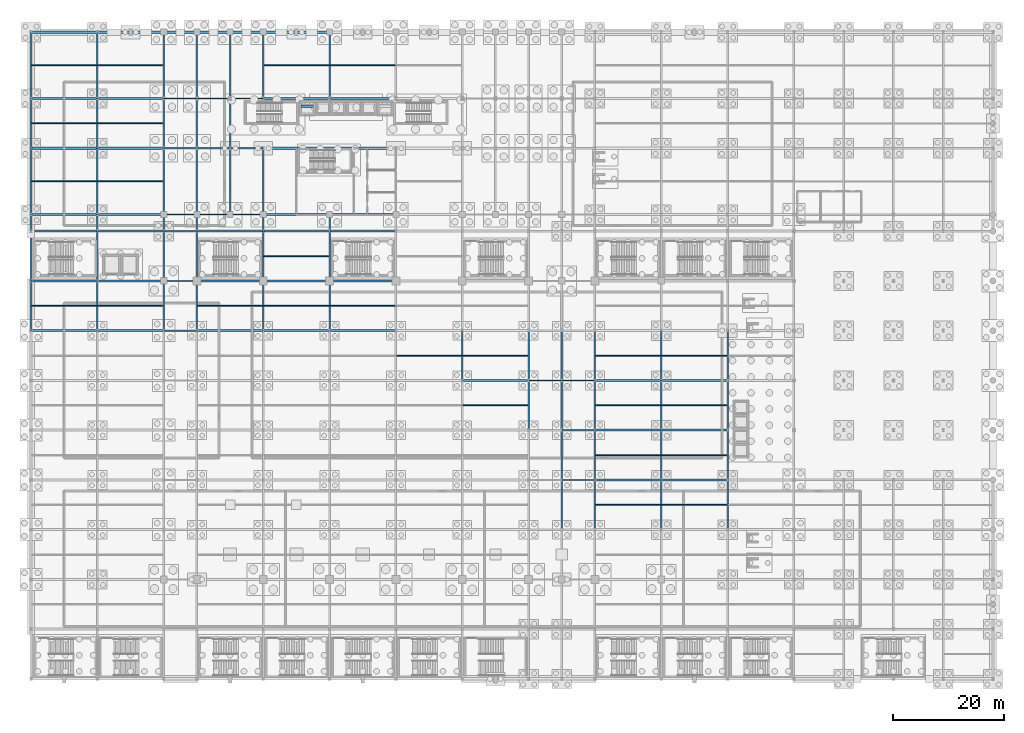
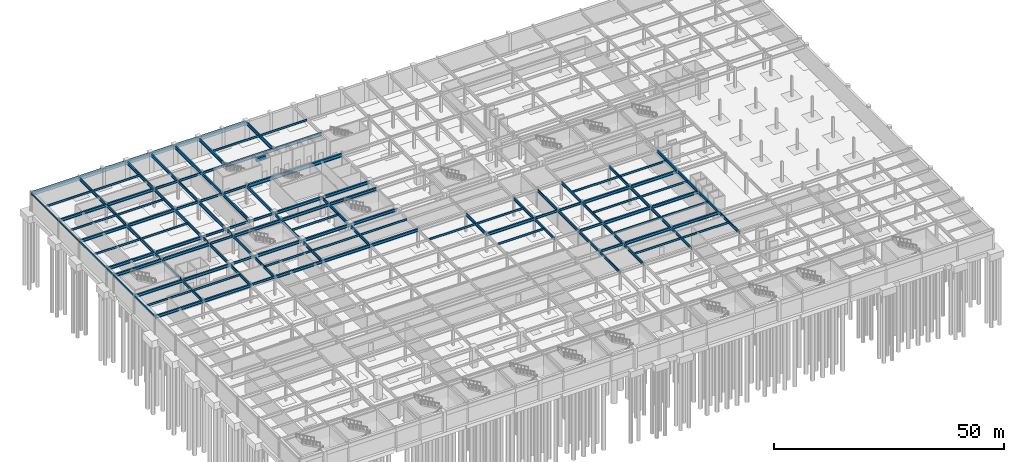
# One storey, part 19 of 47: 136 beams.
"""IFC4 building model written with IfcOpenShell, lengths in metres."""

from ifc_helpers import new_model, si_unit, direction, frame, origin, origin_2d, place, context, subcontext, project, spatial, rectangle, hollow_rectangle, i_section, extrude, material, material_profile, profile_set, type_object, element, save


model = new_model("IFC4")

# Units and contexts
model_context = context("Model", 3, precision=1e-05, world=origin(), true_north=direction((0.0, 1.0)))
body_context = subcontext(model_context, "Body", "Model", "MODEL_VIEW")
ifc_project = project(units=[si_unit("LENGTHUNIT", "METRE"), si_unit("AREAUNIT", "SQUARE_METRE"), si_unit("VOLUMEUNIT", "CUBIC_METRE"), si_unit("PLANEANGLEUNIT", "RADIAN"), si_unit("MASSUNIT", "GRAM", prefix="KILO")], contexts=[model_context])

# Site, building, storey
site_placement = place(None, origin())
site = spatial("IfcSite", under=ifc_project, at=site_placement, CompositionType="ELEMENT")
building_placement = place(site_placement, origin())
building = spatial("IfcBuilding", under=site, at=building_placement, Name="Kaldorvane Square Convention Centre", CompositionType="ELEMENT")
storey_placement = place(building_placement, frame((0.0, 0.0, -5.399993896484375)))
storey = spatial("IfcBuildingStorey", under=building, at=storey_placement, Name="B01", CompositionType="ELEMENT", Elevation=-5.399993896484375)

# Beams
ifc_material_1 = material(Name="Steel ASTM A992 Gr. 50", Category="steel")
ifc_material_profile_1 = material_profile(ifc_material_1, i_section(OverallWidth=0.2303009033203125, OverallDepth=0.61749267578125, WebThickness=0.0131072998046875, FlangeThickness=0.0222015380859375, FilletRadius=0.0126953125, at=origin_2d()), Name="W24X94")
ifc_profile_set_1 = profile_set([ifc_material_profile_1], Name="Steel ASTM A992 Gr. 50")
beam_type_1 = type_object("IfcBeamType", Name="BM-GR-W24X94", PredefinedType="BEAM", material=ifc_profile_set_1)
for number, where, z_axis, x_axis, name in (
    (1, (96.0, 36.0, 4.7072906494140625), (1.0, 0.0, 0.0), (0.0, 1.0, 0.0), "Primary Girder (B01)"),
    (2, (96.0, 45.0, 4.7072906494140625), (1.0, 0.0, 0.0), (0.0, 1.0, 0.0), "Primary Girder (B01)"),
    (3, (90.0, 54.0, 4.7072906494140625), (1.0, 0.0, 0.0), (0.0, 1.0, 0.0), "Primary Girder (B01)"),
    (4, (96.0, 54.0, 4.7072906494140625), (1.0, 0.0, 0.0), (0.0, 1.0, 0.0), "Primary Girder (B01)"),
    (5, (24.0, 63.0, 4.7072906494140625), (1.0, 0.0, 0.0), (0.0, 1.0, 0.0), "Primary Girder (B01)"),
    (6, (24.0, 72.0, 4.7072906494140625), (1.0, 0.0, 0.0), (0.0, 1.0, 0.0), "Primary Girder (B01)"),
    (7, (24.0, 81.0, 4.7072906494140625), (1.0, 0.0, 0.0), (0.0, 1.0, 0.0), "Primary Girder (B01)"),
    (8, (24.0, 84.0, 4.7072906494140625), (1.0, 0.0, 0.0), (0.0, 1.0, 0.0), "Primary Girder (B01)"),
    (9, (30.0, 84.0, 4.7072906494140625), (1.0, 0.0, 0.0), (0.0, 1.0, 0.0), "Primary Girder (B01)"),
    (10, (36.0, 84.0, 4.7072906494140625), (1.0, 0.0, 0.0), (0.0, 1.0, 0.0), "Primary Girder (B01)"),
    (11, (24.0, 96.0, 4.7072906494140625), (1.0, 0.0, 0.0), (0.0, 1.0, 0.0), "Primary Girder (B01)"),
    (12, (30.0, 96.0, 4.7072906494140625), (1.0, 0.0, 0.0), (0.0, 1.0, 0.0), "Primary Girder (B01)"),
    (13, (36.0, 96.0, 4.7072906494140625), (1.0, 0.0, 0.0), (0.0, 1.0, 0.0), "Primary Girder (B01)"),
    (14, (24.0, 105.0, 4.7072906494140625), (1.0, 0.0, 0.0), (0.0, 1.0, 0.0), "Primary Girder (B01)"),
    (15, (30.0, 105.0, 4.7072906494140625), (1.0, 0.0, 0.0), (0.0, 1.0, 0.0), "Primary Girder (B01)"),
    (16, (36.0, 105.0, 4.7072906494140625), (1.0, 0.0, 0.0), (0.0, 1.0, 0.0), "Primary Girder (B01)"),
):
    element("IfcBeam", number, at=place(storey_placement, frame(where, z_axis=z_axis, x_axis=x_axis)), inside=storey, type_object=beam_type_1, Name=name, PredefinedType="BEAM", context=body_context, shape_type="SweptSolid", body=[
        extrude(i_section(OverallWidth=0.2303009033203125, OverallDepth=0.61749267578125, WebThickness=0.0131072998046875, FlangeThickness=0.0222015380859375, FilletRadius=0.0126953125, at=origin_2d()), origin(), (0.0, 0.0, 1.0), 6.0),
    ])
ifc_material_profile_2 = material_profile(ifc_material_1, i_section(OverallWidth=0.2666015625, OverallDepth=0.762298583984375, WebThickness=0.014404296875, FlangeThickness=0.0216064453125, FilletRadius=0.0164947509765625, at=origin_2d()), Name="W30X116")
ifc_profile_set_2 = profile_set([ifc_material_profile_2], Name="Steel ASTM A992 Gr. 50")
beam_type_2 = type_object("IfcBeamType", Name="BM-GR-W30X116", PredefinedType="BEAM", material=ifc_profile_set_2)
for number, where, z_axis, x_axis, name in (
    (17, (12.0, 63.0, 4.59478759765625), (0.0, 1.0, 0.0), (-1.0, 0.0, 0.0), "Transverse Girder (B01)"),
    (18, (12.0, 72.0, 4.6348876953125), (0.0, 1.0, 0.0), (-1.0, 0.0, 0.0), "Transverse Girder (B01)"),
):
    element("IfcBeam", number, at=place(storey_placement, frame(where, z_axis=z_axis, x_axis=x_axis)), inside=storey, type_object=beam_type_2, Name=name, PredefinedType="BEAM", context=body_context, shape_type="SweptSolid", body=[
        extrude(i_section(OverallWidth=0.2666015625, OverallDepth=0.762298583984375, WebThickness=0.014404296875, FlangeThickness=0.0216064453125, FilletRadius=0.0164947509765625, at=origin_2d()), origin(), (0.0, 0.0, 1.0), 9.0),
    ])
beam_1_placement = place(storey_placement, frame((12.0, 81.0, 4.6348876953125), z_axis=(0.0, 1.0, 0.0), x_axis=(-1.0, 0.0, 0.0)))
element("IfcBeam", 19, at=beam_1_placement, inside=storey, type_object=beam_type_2, Name="Transverse Girder (B01)", PredefinedType="BEAM", context=body_context, shape_type="SweptSolid", body=[
    extrude(i_section(OverallWidth=0.2666015625, OverallDepth=0.762298583984375, WebThickness=0.014404296875, FlangeThickness=0.0216064453125, FilletRadius=0.0164947509765625, at=origin_2d()), origin(), (0.0, 0.0, 1.0), 3.0),
])
for number, where, z_axis, x_axis, name in (
    (20, (12.0, 96.0, 4.6348876953125), (0.0, 1.0, 0.0), (-1.0, 0.0, 0.0), "Transverse Girder (B01)"),
    (21, (24.0, 63.0, 4.59478759765625), (0.0, 1.0, 0.0), (-1.0, 0.0, 0.0), "Transverse Girder (B01)"),
    (22, (24.0, 72.0, 4.6348876953125), (0.0, 1.0, 0.0), (-1.0, 0.0, 0.0), "Transverse Girder (B01)"),
):
    element("IfcBeam", number, at=place(storey_placement, frame(where, z_axis=z_axis, x_axis=x_axis)), inside=storey, type_object=beam_type_2, Name=name, PredefinedType="BEAM", context=body_context, shape_type="SweptSolid", body=[
        extrude(i_section(OverallWidth=0.2666015625, OverallDepth=0.762298583984375, WebThickness=0.014404296875, FlangeThickness=0.0216064453125, FilletRadius=0.0164947509765625, at=origin_2d()), origin(), (0.0, 0.0, 1.0), 9.0),
    ])
beam_2_placement = place(storey_placement, frame((24.0, 81.0, 4.6348876953125), z_axis=(0.0, 1.0, 0.0), x_axis=(-1.0, 0.0, 0.0)))
element("IfcBeam", 23, at=beam_2_placement, inside=storey, type_object=beam_type_2, Name="Transverse Girder (B01)", PredefinedType="BEAM", context=body_context, shape_type="SweptSolid", body=[
    extrude(i_section(OverallWidth=0.2666015625, OverallDepth=0.762298583984375, WebThickness=0.014404296875, FlangeThickness=0.0216064453125, FilletRadius=0.0164947509765625, at=origin_2d()), origin(), (0.0, 0.0, 1.0), 3.0),
])
for number, where, z_axis, x_axis, name in (
    (24, (24.0, 96.0, 4.6348876953125), (0.0, 1.0, 0.0), (-1.0, 0.0, 0.0), "Transverse Girder (B01)"),
    (25, (30.0, 63.0, 4.6348876953125), (0.0, 1.0, 0.0), (-1.0, 0.0, 0.0), "Transverse Girder (B01)"),
    (26, (30.0, 72.0, 4.6348876953125), (0.0, 1.0, 0.0), (-1.0, 0.0, 0.0), "Transverse Girder (B01)"),
):
    element("IfcBeam", number, at=place(storey_placement, frame(where, z_axis=z_axis, x_axis=x_axis)), inside=storey, type_object=beam_type_2, Name=name, PredefinedType="BEAM", context=body_context, shape_type="SweptSolid", body=[
        extrude(i_section(OverallWidth=0.2666015625, OverallDepth=0.762298583984375, WebThickness=0.014404296875, FlangeThickness=0.0216064453125, FilletRadius=0.0164947509765625, at=origin_2d()), origin(), (0.0, 0.0, 1.0), 9.0),
    ])
beam_3_placement = place(storey_placement, frame((30.0, 81.0, 4.6348876953125), z_axis=(0.0, 1.0, 0.0), x_axis=(-1.0, 0.0, 0.0)))
element("IfcBeam", 27, at=beam_3_placement, inside=storey, type_object=beam_type_2, Name="Transverse Girder (B01)", PredefinedType="BEAM", context=body_context, shape_type="SweptSolid", body=[
    extrude(i_section(OverallWidth=0.2666015625, OverallDepth=0.762298583984375, WebThickness=0.014404296875, FlangeThickness=0.0216064453125, FilletRadius=0.0164947509765625, at=origin_2d()), origin(), (0.0, 0.0, 1.0), 3.0),
])
for number, where, z_axis, x_axis, name in (
    (28, (30.0, 96.0, 4.6348876953125), (0.0, 1.0, 0.0), (-1.0, 0.0, 0.0), "Transverse Girder (B01)"),
    (29, (36.0, 96.0, 4.6348876953125), (0.0, 1.0, 0.0), (-1.0, 0.0, 0.0), "Transverse Girder (B01)"),
    (30, (42.0, 63.0, 4.6348876953125), (0.0, 1.0, 0.0), (-1.0, 0.0, 0.0), "Transverse Girder (B01)"),
    (31, (42.0, 72.0, 4.6348876953125), (0.0, 1.0, 0.0), (-1.0, 0.0, 0.0), "Transverse Girder (B01)"),
):
    element("IfcBeam", number, at=place(storey_placement, frame(where, z_axis=z_axis, x_axis=x_axis)), inside=storey, type_object=beam_type_2, Name=name, PredefinedType="BEAM", context=body_context, shape_type="SweptSolid", body=[
        extrude(i_section(OverallWidth=0.2666015625, OverallDepth=0.762298583984375, WebThickness=0.014404296875, FlangeThickness=0.0216064453125, FilletRadius=0.0164947509765625, at=origin_2d()), origin(), (0.0, 0.0, 1.0), 9.0),
    ])
beam_4_placement = place(storey_placement, frame((42.0, 81.0, 4.6348876953125), z_axis=(0.0, 1.0, 0.0), x_axis=(-1.0, 0.0, 0.0)))
element("IfcBeam", 32, at=beam_4_placement, inside=storey, type_object=beam_type_2, Name="Transverse Girder (B01)", PredefinedType="BEAM", context=body_context, shape_type="SweptSolid", body=[
    extrude(i_section(OverallWidth=0.2666015625, OverallDepth=0.762298583984375, WebThickness=0.014404296875, FlangeThickness=0.0216064453125, FilletRadius=0.0164947509765625, at=origin_2d()), origin(), (0.0, 0.0, 1.0), 3.0),
])
for number, where, z_axis, x_axis, name in (
    (33, (54.0, 63.0, 4.6348876953125), (0.0, 1.0, 0.0), (-1.0, 0.0, 0.0), "Transverse Girder (B01)"),
    (34, (54.0, 72.0, 4.6348876953125), (0.0, 1.0, 0.0), (-1.0, 0.0, 0.0), "Transverse Girder (B01)"),
):
    element("IfcBeam", number, at=place(storey_placement, frame(where, z_axis=z_axis, x_axis=x_axis)), inside=storey, type_object=beam_type_2, Name=name, PredefinedType="BEAM", context=body_context, shape_type="SweptSolid", body=[
        extrude(i_section(OverallWidth=0.2666015625, OverallDepth=0.762298583984375, WebThickness=0.014404296875, FlangeThickness=0.0216064453125, FilletRadius=0.0164947509765625, at=origin_2d()), origin(), (0.0, 0.0, 1.0), 9.0),
    ])
beam_5_placement = place(storey_placement, frame((54.0, 81.0, 4.6348876953125), z_axis=(0.0, 1.0, 0.0), x_axis=(-1.0, 0.0, 0.0)))
element("IfcBeam", 35, at=beam_5_placement, inside=storey, type_object=beam_type_2, Name="Transverse Girder (B01)", PredefinedType="BEAM", context=body_context, shape_type="SweptSolid", body=[
    extrude(i_section(OverallWidth=0.2666015625, OverallDepth=0.762298583984375, WebThickness=0.014404296875, FlangeThickness=0.0216064453125, FilletRadius=0.0164947509765625, at=origin_2d()), origin(), (0.0, 0.0, 1.0), 3.0),
])
for number, where, z_axis, x_axis, name in (
    (36, (78.0, 54.0, 4.6348876953125), (0.0, 1.0, 0.0), (-1.0, 0.0, 0.0), "Transverse Girder (B01)"),
    (37, (90.0, 45.0, 4.6348876953125), (0.0, 1.0, 0.0), (-1.0, 0.0, 0.0), "Transverse Girder (B01)"),
    (38, (90.0, 54.0, 4.6348876953125), (0.0, 1.0, 0.0), (-1.0, 0.0, 0.0), "Transverse Girder (B01)"),
    (39, (96.0, 27.0, 4.6348876953125), (0.0, 1.0, 0.0), (-1.0, 0.0, 0.0), "Transverse Girder (B01)"),
    (40, (96.0, 36.0, 4.6348876953125), (0.0, 1.0, 0.0), (-1.0, 0.0, 0.0), "Transverse Girder (B01)"),
    (41, (96.0, 45.0, 4.6348876953125), (0.0, 1.0, 0.0), (-1.0, 0.0, 0.0), "Transverse Girder (B01)"),
    (42, (96.0, 54.0, 4.6348876953125), (0.0, 1.0, 0.0), (-1.0, 0.0, 0.0), "Transverse Girder (B01)"),
    (43, (102.0, 27.0, 4.6348876953125), (0.0, 1.0, 0.0), (-1.0, 0.0, 0.0), "Transverse Girder (B01)"),
    (44, (102.0, 36.0, 4.6348876953125), (0.0, 1.0, 0.0), (-1.0, 0.0, 0.0), "Transverse Girder (B01)"),
    (45, (102.0, 45.0, 4.6348876953125), (0.0, 1.0, 0.0), (-1.0, 0.0, 0.0), "Transverse Girder (B01)"),
    (46, (102.0, 54.0, 4.6348876953125), (0.0, 1.0, 0.0), (-1.0, 0.0, 0.0), "Transverse Girder (B01)"),
    (47, (114.0, 27.0, 4.6348876953125), (0.0, 1.0, 0.0), (-1.0, 0.0, 0.0), "Transverse Girder (B01)"),
    (48, (114.0, 36.0, 4.6348876953125), (0.0, 1.0, 0.0), (-1.0, 0.0, 0.0), "Transverse Girder (B01)"),
    (49, (114.0, 45.0, 4.6348876953125), (0.0, 1.0, 0.0), (-1.0, 0.0, 0.0), "Transverse Girder (B01)"),
    (50, (114.0, 54.0, 4.6348876953125), (0.0, 1.0, 0.0), (-1.0, 0.0, 0.0), "Transverse Girder (B01)"),
    (51, (126.0, 27.0, 4.6348876953125), (0.0, 1.0, 0.0), (-1.0, 0.0, 0.0), "Transverse Girder (B01)"),
    (52, (126.0, 36.0, 4.6348876953125), (0.0, 1.0, 0.0), (-1.0, 0.0, 0.0), "Transverse Girder (B01)"),
    (53, (126.0, 45.0, 4.6348876953125), (0.0, 1.0, 0.0), (-1.0, 0.0, 0.0), "Transverse Girder (B01)"),
    (54, (126.0, 54.0, 4.6348876953125), (0.0, 1.0, 0.0), (-1.0, 0.0, 0.0), "Transverse Girder (B01)"),
):
    element("IfcBeam", number, at=place(storey_placement, frame(where, z_axis=z_axis, x_axis=x_axis)), inside=storey, type_object=beam_type_2, Name=name, PredefinedType="BEAM", context=body_context, shape_type="SweptSolid", body=[
        extrude(i_section(OverallWidth=0.2666015625, OverallDepth=0.762298583984375, WebThickness=0.014404296875, FlangeThickness=0.0216064453125, FilletRadius=0.0164947509765625, at=origin_2d()), origin(), (0.0, 0.0, 1.0), 9.0),
    ])
ifc_material_profile_3 = material_profile(ifc_material_1, i_section(OverallWidth=0.380706787109375, OverallDepth=0.773193359375, WebThickness=0.0166015625, FlangeThickness=0.027099609375, FilletRadius=0.0164947509765625, at=origin_2d()), Name="W30X173")
ifc_profile_set_3 = profile_set([ifc_material_profile_3], Name="Steel ASTM A992 Gr. 50")
beam_type_3 = type_object("IfcBeamType", Name="BM-GR-W30X173", PredefinedType="BEAM", material=ifc_profile_set_3)
for number, where, z_axis, x_axis, name in (
    (55, (102.0, 36.0, 4.62939453125), (1.0, 0.0, 0.0), (0.0, 1.0, 0.0), "Primary Girder (B01)"),
    (56, (114.0, 36.0, 4.62939453125), (1.0, 0.0, 0.0), (0.0, 1.0, 0.0), "Primary Girder (B01)"),
    (57, (102.0, 45.0, 4.62939453125), (1.0, 0.0, 0.0), (0.0, 1.0, 0.0), "Primary Girder (B01)"),
    (58, (114.0, 45.0, 4.62939453125), (1.0, 0.0, 0.0), (0.0, 1.0, 0.0), "Primary Girder (B01)"),
    (59, (78.0, 54.0, 4.62939453125), (1.0, 0.0, 0.0), (0.0, 1.0, 0.0), "Primary Girder (B01)"),
    (60, (102.0, 54.0, 4.62939453125), (1.0, 0.0, 0.0), (0.0, 1.0, 0.0), "Primary Girder (B01)"),
    (61, (114.0, 54.0, 4.62939453125), (1.0, 0.0, 0.0), (0.0, 1.0, 0.0), "Primary Girder (B01)"),
    (62, (0.0, 63.0, 4.5894012451171875), (1.0, 0.0, 0.0), (0.0, 1.0, 0.0), "Primary Girder (B01)"),
    (63, (12.0, 63.0, 4.5894012451171875), (1.0, 0.0, 0.0), (0.0, 1.0, 0.0), "Primary Girder (B01)"),
    (64, (30.0, 63.0, 4.62939453125), (1.0, 0.0, 0.0), (0.0, 1.0, 0.0), "Primary Girder (B01)"),
    (65, (42.0, 63.0, 4.62939453125), (1.0, 0.0, 0.0), (0.0, 1.0, 0.0), "Primary Girder (B01)"),
    (66, (54.0, 63.0, 4.62939453125), (1.0, 0.0, 0.0), (0.0, 1.0, 0.0), "Primary Girder (B01)"),
    (67, (0.0, 72.0, 4.5894012451171875), (1.0, 0.0, 0.0), (0.0, 1.0, 0.0), "Primary Girder (B01)"),
    (68, (12.0, 72.0, 4.5894012451171875), (1.0, 0.0, 0.0), (0.0, 1.0, 0.0), "Primary Girder (B01)"),
    (69, (30.0, 72.0, 4.62939453125), (1.0, 0.0, 0.0), (0.0, 1.0, 0.0), "Primary Girder (B01)"),
    (70, (42.0, 72.0, 4.62939453125), (1.0, 0.0, 0.0), (0.0, 1.0, 0.0), "Primary Girder (B01)"),
    (71, (54.0, 72.0, 4.62939453125), (1.0, 0.0, 0.0), (0.0, 1.0, 0.0), "Primary Girder (B01)"),
    (72, (0.0, 81.0, 4.62939453125), (1.0, 0.0, 0.0), (0.0, 1.0, 0.0), "Primary Girder (B01)"),
    (73, (12.0, 81.0, 4.62939453125), (1.0, 0.0, 0.0), (0.0, 1.0, 0.0), "Primary Girder (B01)"),
    (74, (30.0, 81.0, 4.62939453125), (1.0, 0.0, 0.0), (0.0, 1.0, 0.0), "Primary Girder (B01)"),
    (75, (42.0, 81.0, 4.62939453125), (1.0, 0.0, 0.0), (0.0, 1.0, 0.0), "Primary Girder (B01)"),
    (76, (54.0, 81.0, 4.62939453125), (1.0, 0.0, 0.0), (0.0, 1.0, 0.0), "Primary Girder (B01)"),
    (77, (0.0, 84.0, 4.62939453125), (1.0, 0.0, 0.0), (0.0, 1.0, 0.0), "Primary Girder (B01)"),
    (78, (12.0, 84.0, 4.62939453125), (1.0, 0.0, 0.0), (0.0, 1.0, 0.0), "Primary Girder (B01)"),
    (79, (42.0, 84.0, 4.62939453125), (1.0, 0.0, 0.0), (0.0, 1.0, 0.0), "Primary Girder (B01)"),
    (80, (54.0, 84.0, 4.62939453125), (1.0, 0.0, 0.0), (0.0, 1.0, 0.0), "Primary Girder (B01)"),
    (81, (0.0, 96.0, 4.62939453125), (1.0, 0.0, 0.0), (0.0, 1.0, 0.0), "Primary Girder (B01)"),
    (82, (12.0, 96.0, 4.62939453125), (1.0, 0.0, 0.0), (0.0, 1.0, 0.0), "Primary Girder (B01)"),
    (83, (0.0, 105.0, 4.62939453125), (1.0, 0.0, 0.0), (0.0, 1.0, 0.0), "Primary Girder (B01)"),
    (84, (12.0, 105.0, 4.62939453125), (1.0, 0.0, 0.0), (0.0, 1.0, 0.0), "Primary Girder (B01)"),
    (85, (42.0, 105.0, 4.62939453125), (1.0, 0.0, 0.0), (0.0, 1.0, 0.0), "Primary Girder (B01)"),
    (86, (54.0, 105.0, 4.62939453125), (1.0, 0.0, 0.0), (0.0, 1.0, 0.0), "Primary Girder (B01)"),
):
    element("IfcBeam", number, at=place(storey_placement, frame(where, z_axis=z_axis, x_axis=x_axis)), inside=storey, type_object=beam_type_3, Name=name, PredefinedType="BEAM", context=body_context, shape_type="SweptSolid", body=[
        extrude(i_section(OverallWidth=0.380706787109375, OverallDepth=0.773193359375, WebThickness=0.0166015625, FlangeThickness=0.027099609375, FilletRadius=0.0164947509765625, at=origin_2d()), origin(), (0.0, 0.0, 1.0), 12.0),
    ])
ifc_material_profile_4 = material_profile(ifc_material_1, i_section(OverallWidth=0.292999267578125, OverallDepth=0.845794677734375, WebThickness=0.0153961181640625, FlangeThickness=0.0243988037109375, FilletRadius=0.0178070068359375, at=origin_2d()), Name="W33X141")
ifc_profile_set_4 = profile_set([ifc_material_profile_4], Name="Steel ASTM A992 Gr. 50")
beam_type_4 = type_object("IfcBeamType", Name="BM-GR-W33X141", PredefinedType="BEAM", material=ifc_profile_set_4)
for number, where, z_axis, x_axis, name in (
    (87, (12.0, 84.0, 4.5930938720703125), (0.0, 1.0, 0.0), (-1.0, 0.0, 0.0), "Transverse Girder (B01)"),
    (88, (12.0, 105.0, 4.5930938720703125), (0.0, 1.0, 0.0), (-1.0, 0.0, 0.0), "Transverse Girder (B01)"),
    (89, (24.0, 84.0, 4.5930938720703125), (0.0, 1.0, 0.0), (-1.0, 0.0, 0.0), "Transverse Girder (B01)"),
    (90, (24.0, 105.0, 4.5930938720703125), (0.0, 1.0, 0.0), (-1.0, 0.0, 0.0), "Transverse Girder (B01)"),
    (91, (30.0, 84.0, 4.5930938720703125), (0.0, 1.0, 0.0), (-1.0, 0.0, 0.0), "Transverse Girder (B01)"),
    (92, (30.0, 105.0, 4.5930938720703125), (0.0, 1.0, 0.0), (-1.0, 0.0, 0.0), "Transverse Girder (B01)"),
    (93, (36.0, 84.0, 4.5930938720703125), (0.0, 1.0, 0.0), (-1.0, 0.0, 0.0), "Transverse Girder (B01)"),
    (94, (36.0, 105.0, 4.5930938720703125), (0.0, 1.0, 0.0), (-1.0, 0.0, 0.0), "Transverse Girder (B01)"),
    (95, (42.0, 84.0, 4.5930938720703125), (0.0, 1.0, 0.0), (-1.0, 0.0, 0.0), "Transverse Girder (B01)"),
    (96, (42.0, 105.0, 4.5930938720703125), (0.0, 1.0, 0.0), (-1.0, 0.0, 0.0), "Transverse Girder (B01)"),
    (97, (54.0, 105.0, 4.5930938720703125), (0.0, 1.0, 0.0), (-1.0, 0.0, 0.0), "Transverse Girder (B01)"),
):
    element("IfcBeam", number, at=place(storey_placement, frame(where, z_axis=z_axis, x_axis=x_axis)), inside=storey, type_object=beam_type_4, Name=name, PredefinedType="BEAM", context=body_context, shape_type="SweptSolid", body=[
        extrude(i_section(OverallWidth=0.292999267578125, OverallDepth=0.845794677734375, WebThickness=0.0153961181640625, FlangeThickness=0.0243988037109375, FilletRadius=0.0178070068359375, at=origin_2d()), origin(), (0.0, 0.0, 1.0), 12.0),
    ])
ifc_material_profile_5 = material_profile(ifc_material_1, i_section(OverallWidth=0.418304443359375, OverallDepth=0.926605224609375, WebThickness=0.0193023681640625, FlangeThickness=0.0319976806640625, FilletRadius=0.0240936279296875, at=origin_2d()), Name="W36X231")
ifc_profile_set_5 = profile_set([ifc_material_profile_5], Name="Steel ASTM A992 Gr. 50")
beam_type_5 = type_object("IfcBeamType", Name="BM-GR-W36X231", PredefinedType="BEAM", material=ifc_profile_set_5)
beam_6_placement = place(storey_placement, frame((42.0, 96.0, 4.5526885986328125), z_axis=(1.0, 0.0, 0.0), x_axis=(0.0, 1.0, 0.0)))
element("IfcBeam", 98, at=beam_6_placement, inside=storey, type_object=beam_type_5, Name="Primary Girder (B01)", PredefinedType="BEAM", context=body_context, shape_type="SweptSolid", body=[
    extrude(i_section(OverallWidth=0.418304443359375, OverallDepth=0.926605224609375, WebThickness=0.0193023681640625, FlangeThickness=0.0319976806640625, FilletRadius=0.0240936279296875, at=origin_2d()), origin(), (0.0, 0.0, 1.0), 24.0),
])
ifc_material_profile_6 = material_profile(ifc_material_1, i_section(OverallWidth=0.1658935546875, OverallDepth=0.5290985107421875, WebThickness=0.00970458984375, FlangeThickness=0.0135955810546875, FilletRadius=0.0126953125, at=origin_2d()), Name="W21X50")
ifc_profile_set_6 = profile_set([ifc_material_profile_6], Name="Steel ASTM A992 Gr. 50")
beam_type_6 = type_object("IfcBeamType", Name="BM-JS-W21X50", PredefinedType="JOIST", material=ifc_profile_set_6)
for number, where, z_axis, x_axis, name in (
    (99, (102.13330078125, 31.5, 4.751495361328125), (1.0, 0.0, 0.0), (0.0, 1.0, 0.0), "Secondary Floor Joist (B01)"),
    (100, (114.13330078125, 31.5, 4.751495361328125), (1.0, 0.0, 0.0), (0.0, 1.0, 0.0), "Secondary Floor Joist (B01)"),
    (101, (102.13330078125, 40.5, 4.751495361328125), (1.0, 0.0, 0.0), (0.0, 1.0, 0.0), "Secondary Floor Joist (B01)"),
    (102, (114.13330078125, 40.5, 4.751495361328125), (1.0, 0.0, 0.0), (0.0, 1.0, 0.0), "Secondary Floor Joist (B01)"),
    (103, (78.13330078125, 49.5, 4.751495361328125), (1.0, 0.0, 0.0), (0.0, 1.0, 0.0), "Secondary Floor Joist (B01)"),
    (104, (102.13330078125, 49.5, 4.751495361328125), (1.0, 0.0, 0.0), (0.0, 1.0, 0.0), "Secondary Floor Joist (B01)"),
    (105, (114.13330078125, 49.5, 4.751495361328125), (1.0, 0.0, 0.0), (0.0, 1.0, 0.0), "Secondary Floor Joist (B01)"),
    (106, (66.13330078125, 58.5, 4.751495361328125), (1.0, 0.0, 0.0), (0.0, 1.0, 0.0), "Secondary Floor Joist (B01)"),
    (107, (78.13330078125, 58.5, 4.751495361328125), (1.0, 0.0, 0.0), (0.0, 1.0, 0.0), "Secondary Floor Joist (B01)"),
    (108, (102.13330078125, 58.5, 4.751495361328125), (1.0, 0.0, 0.0), (0.0, 1.0, 0.0), "Secondary Floor Joist (B01)"),
    (109, (114.13330078125, 58.5, 4.751495361328125), (1.0, 0.0, 0.0), (0.0, 1.0, 0.0), "Secondary Floor Joist (B01)"),
):
    element("IfcBeam", number, at=place(storey_placement, frame(where, z_axis=z_axis, x_axis=x_axis)), inside=storey, type_object=beam_type_6, Name=name, PredefinedType="JOIST", context=body_context, shape_type="SweptSolid", body=[
        extrude(i_section(OverallWidth=0.1658935546875, OverallDepth=0.5290985107421875, WebThickness=0.00970458984375, FlangeThickness=0.0135955810546875, FilletRadius=0.0126953125, at=origin_2d()), origin(), (0.0, 0.0, 1.0), 11.7333984375),
    ])
beam_7_placement = place(storey_placement, frame((0.15240478515625, 67.5, 4.71148681640625), z_axis=(1.0, 0.0, 0.0), x_axis=(0.0, 1.0, 0.0)))
element("IfcBeam", 110, at=beam_7_placement, inside=storey, type_object=beam_type_6, Name="Secondary Floor Joist (B01)", PredefinedType="JOIST", context=body_context, shape_type="SweptSolid", body=[
    extrude(i_section(OverallWidth=0.1658935546875, OverallDepth=0.5290985107421875, WebThickness=0.00970458984375, FlangeThickness=0.0135955810546875, FilletRadius=0.0126953125, at=origin_2d()), origin(), (0.0, 0.0, 1.0), 11.71429443359375),
])
for number, where, z_axis, x_axis, name in (
    (111, (12.13330078125, 67.5, 4.71148681640625), (1.0, 0.0, 0.0), (0.0, 1.0, 0.0), "Secondary Floor Joist (B01)"),
    (112, (30.13330078125, 67.5, 4.751495361328125), (1.0, 0.0, 0.0), (0.0, 1.0, 0.0), "Secondary Floor Joist (B01)"),
    (113, (42.13330078125, 67.5, 4.751495361328125), (1.0, 0.0, 0.0), (0.0, 1.0, 0.0), "Secondary Floor Joist (B01)"),
    (114, (54.13330078125, 67.5, 4.751495361328125), (1.0, 0.0, 0.0), (0.0, 1.0, 0.0), "Secondary Floor Joist (B01)"),
    (115, (42.13330078125, 76.5, 4.751495361328125), (1.0, 0.0, 0.0), (0.0, 1.0, 0.0), "Secondary Floor Joist (B01)"),
):
    element("IfcBeam", number, at=place(storey_placement, frame(where, z_axis=z_axis, x_axis=x_axis)), inside=storey, type_object=beam_type_6, Name=name, PredefinedType="JOIST", context=body_context, shape_type="SweptSolid", body=[
        extrude(i_section(OverallWidth=0.1658935546875, OverallDepth=0.5290985107421875, WebThickness=0.00970458984375, FlangeThickness=0.0135955810546875, FilletRadius=0.0126953125, at=origin_2d()), origin(), (0.0, 0.0, 1.0), 11.7333984375),
    ])
beam_8_placement = place(storey_placement, frame((0.15240478515625, 90.0, 4.751495361328125), z_axis=(1.0, 0.0, 0.0), x_axis=(0.0, 1.0, 0.0)))
element("IfcBeam", 116, at=beam_8_placement, inside=storey, type_object=beam_type_6, Name="Secondary Floor Joist (B01)", PredefinedType="JOIST", context=body_context, shape_type="SweptSolid", body=[
    extrude(i_section(OverallWidth=0.1658935546875, OverallDepth=0.5290985107421875, WebThickness=0.00970458984375, FlangeThickness=0.0135955810546875, FilletRadius=0.0126953125, at=origin_2d()), origin(), (0.0, 0.0, 1.0), 11.701095581054688),
])
beam_9_placement = place(storey_placement, frame((12.146499633789062, 90.0, 4.751495361328125), z_axis=(1.0, 0.0, 0.0), x_axis=(0.0, 1.0, 0.0)))
element("IfcBeam", 117, at=beam_9_placement, inside=storey, type_object=beam_type_6, Name="Secondary Floor Joist (B01)", PredefinedType="JOIST", context=body_context, shape_type="SweptSolid", body=[
    extrude(i_section(OverallWidth=0.1658935546875, OverallDepth=0.5290985107421875, WebThickness=0.00970458984375, FlangeThickness=0.0135955810546875, FilletRadius=0.0126953125, at=origin_2d()), origin(), (0.0, 0.0, 1.0), 11.707000732421875),
])
beam_10_placement = place(storey_placement, frame((0.15240478515625, 100.5, 4.751495361328125), z_axis=(1.0, 0.0, 0.0), x_axis=(0.0, 1.0, 0.0)))
element("IfcBeam", 118, at=beam_10_placement, inside=storey, type_object=beam_type_6, Name="Secondary Floor Joist (B01)", PredefinedType="JOIST", context=body_context, shape_type="SweptSolid", body=[
    extrude(i_section(OverallWidth=0.1658935546875, OverallDepth=0.5290985107421875, WebThickness=0.00970458984375, FlangeThickness=0.0135955810546875, FilletRadius=0.0126953125, at=origin_2d()), origin(), (0.0, 0.0, 1.0), 11.71429443359375),
])
beam_11_placement = place(storey_placement, frame((12.13330078125, 100.5, 4.751495361328125), z_axis=(1.0, 0.0, 0.0), x_axis=(0.0, 1.0, 0.0)))
element("IfcBeam", 119, at=beam_11_placement, inside=storey, type_object=beam_type_6, Name="Secondary Floor Joist (B01)", PredefinedType="JOIST", context=body_context, shape_type="SweptSolid", body=[
    extrude(i_section(OverallWidth=0.1658935546875, OverallDepth=0.5290985107421875, WebThickness=0.00970458984375, FlangeThickness=0.0135955810546875, FilletRadius=0.0126953125, at=origin_2d()), origin(), (0.0, 0.0, 1.0), 11.7333984375),
])
beam_12_placement = place(storey_placement, frame((0.15240478515625, 111.0, 4.751495361328125), z_axis=(1.0, 0.0, 0.0), x_axis=(0.0, 1.0, 0.0)))
element("IfcBeam", 120, at=beam_12_placement, inside=storey, type_object=beam_type_6, Name="Secondary Floor Joist (B01)", PredefinedType="JOIST", context=body_context, shape_type="SweptSolid", body=[
    extrude(i_section(OverallWidth=0.1658935546875, OverallDepth=0.5290985107421875, WebThickness=0.00970458984375, FlangeThickness=0.0135955810546875, FilletRadius=0.0126953125, at=origin_2d()), origin(), (0.0, 0.0, 1.0), 11.701095581054688),
])
for number, where, z_axis, x_axis, name in (
    (121, (12.146499633789062, 111.0, 4.751495361328125), (1.0, 0.0, 0.0), (0.0, 1.0, 0.0), "Secondary Floor Joist (B01)"),
    (122, (42.14649963378906, 111.0, 4.751495361328125), (1.0, 0.0, 0.0), (0.0, 1.0, 0.0), "Secondary Floor Joist (B01)"),
    (123, (54.14649963378906, 111.0, 4.751495361328125), (1.0, 0.0, 0.0), (0.0, 1.0, 0.0), "Secondary Floor Joist (B01)"),
):
    element("IfcBeam", number, at=place(storey_placement, frame(where, z_axis=z_axis, x_axis=x_axis)), inside=storey, type_object=beam_type_6, Name=name, PredefinedType="JOIST", context=body_context, shape_type="SweptSolid", body=[
        extrude(i_section(OverallWidth=0.1658935546875, OverallDepth=0.5290985107421875, WebThickness=0.00970458984375, FlangeThickness=0.0135955810546875, FilletRadius=0.0126953125, at=origin_2d()), origin(), (0.0, 0.0, 1.0), 11.707000732421875),
    ])
ifc_material_2 = material(Name="Concrete f'c = 42 MPa (Normalweight)", Category="concrete")
ifc_material_profile_7 = material_profile(ifc_material_2, rectangle(XDim=0.5, YDim=0.899993896484375, at=origin_2d()), Name="RCLN900X500")
ifc_profile_set_7 = profile_set([ifc_material_profile_7], Name="Concrete f'c = 42 MPa (Normalweight)")
beam_type_7 = type_object("IfcBeamType", Name="BM-LN-RC900", PredefinedType="LINTEL", material=ifc_profile_set_7)
beam_13_placement = place(storey_placement, frame((48.80000305175781, 103.60000610351562, 4.5679931640625), z_axis=(1.0, 0.0, 0.0), x_axis=(0.0, 1.0, 0.0)))
element("IfcBeam", 124, at=beam_13_placement, inside=storey, type_object=beam_type_7, Name="Core Coupling Lintel W (B01)", PredefinedType="LINTEL", context=body_context, shape_type="SweptSolid", body=[
    extrude(rectangle(XDim=0.5, YDim=0.899993896484375, at=origin_2d()), origin(), (0.0, 0.0, 1.0), 2.399993896484375),
])
ifc_material_3 = material(Name="Steel ASTM A500 Gr. C", Category="steel")
ifc_material_profile_8 = material_profile(ifc_material_3, hollow_rectangle(XDim=0.3047943115234375, YDim=0.406402587890625, WallThickness=0.0117950439453125, at=origin_2d()), Name="HSS16X12X1/2")
ifc_profile_set_8 = profile_set([ifc_material_profile_8], Name="Steel ASTM A500 Gr. C")
beam_type_8 = type_object("IfcBeamType", Name="BM-SP-HSS16", PredefinedType="SPANDREL", material=ifc_profile_set_8)
for number, where, z_axis, x_axis, name in (
    (125, (0.0, 63.0, 4.772796630859375), (0.0, 1.0, 0.0), (-1.0, 0.0, 0.0), "End Spandrel (B01)"),
    (126, (0.0, 72.0, 4.8127899169921875), (0.0, 1.0, 0.0), (-1.0, 0.0, 0.0), "End Spandrel (B01)"),
):
    element("IfcBeam", number, at=place(storey_placement, frame(where, z_axis=z_axis, x_axis=x_axis)), inside=storey, type_object=beam_type_8, Name=name, PredefinedType="SPANDREL", context=body_context, shape_type="SweptSolid", body=[
        extrude(hollow_rectangle(XDim=0.3047943115234375, YDim=0.406402587890625, WallThickness=0.0117950439453125, at=origin_2d()), origin(), (0.0, 0.0, 1.0), 9.0),
    ])
beam_14_placement = place(storey_placement, frame((0.0, 81.0, 4.8127899169921875), z_axis=(0.0, 1.0, 0.0), x_axis=(-1.0, 0.0, 0.0)))
element("IfcBeam", 127, at=beam_14_placement, inside=storey, type_object=beam_type_8, Name="End Spandrel (B01)", PredefinedType="SPANDREL", context=body_context, shape_type="SweptSolid", body=[
    extrude(hollow_rectangle(XDim=0.3047943115234375, YDim=0.406402587890625, WallThickness=0.0117950439453125, at=origin_2d()), origin(), (0.0, 0.0, 1.0), 3.0),
])
beam_15_placement = place(storey_placement, frame((0.0, 84.0, 4.8127899169921875), z_axis=(0.0, 1.0, 0.0), x_axis=(-1.0, 0.0, 0.0)))
element("IfcBeam", 128, at=beam_15_placement, inside=storey, type_object=beam_type_8, Name="End Spandrel (B01)", PredefinedType="SPANDREL", context=body_context, shape_type="SweptSolid", body=[
    extrude(hollow_rectangle(XDim=0.3047943115234375, YDim=0.406402587890625, WallThickness=0.0117950439453125, at=origin_2d()), origin(), (0.0, 0.0, 1.0), 12.0),
])
beam_16_placement = place(storey_placement, frame((0.0, 96.0, 4.8127899169921875), z_axis=(0.0, 1.0, 0.0), x_axis=(-1.0, 0.0, 0.0)))
element("IfcBeam", 129, at=beam_16_placement, inside=storey, type_object=beam_type_8, Name="End Spandrel (B01)", PredefinedType="SPANDREL", context=body_context, shape_type="SweptSolid", body=[
    extrude(hollow_rectangle(XDim=0.3047943115234375, YDim=0.406402587890625, WallThickness=0.0117950439453125, at=origin_2d()), origin(), (0.0, 0.0, 1.0), 9.0),
])
beam_17_placement = place(storey_placement, frame((0.0, 105.0, 4.8127899169921875), z_axis=(0.0, 1.0, 0.0), x_axis=(-1.0, 0.0, 0.0)))
element("IfcBeam", 130, at=beam_17_placement, inside=storey, type_object=beam_type_8, Name="End Spandrel (B01)", PredefinedType="SPANDREL", context=body_context, shape_type="SweptSolid", body=[
    extrude(hollow_rectangle(XDim=0.3047943115234375, YDim=0.406402587890625, WallThickness=0.0117950439453125, at=origin_2d()), origin(), (0.0, 0.0, 1.0), 12.0),
])
ifc_material_profile_9 = material_profile(ifc_material_2, rectangle(XDim=0.4499969482421875, YDim=1.0, at=origin_2d()), Name="RCSP1000X450")
ifc_profile_set_9 = profile_set([ifc_material_profile_9], Name="Concrete f'c = 42 MPa (Normalweight)")
beam_type_9 = type_object("IfcBeamType", Name="BM-SP-RC1000", PredefinedType="SPANDREL", material=ifc_profile_set_9)
for number, where, z_axis, x_axis, name in (
    (131, (0.0, 117.0, 4.5159912109375), (1.0, 0.0, 0.0), (0.0, 1.0, 0.0), "Perimeter Spandrel (B01)"),
    (132, (12.0, 117.0, 4.5159912109375), (1.0, 0.0, 0.0), (0.0, 1.0, 0.0), "Perimeter Spandrel (B01)"),
):
    element("IfcBeam", number, at=place(storey_placement, frame(where, z_axis=z_axis, x_axis=x_axis)), inside=storey, type_object=beam_type_9, Name=name, PredefinedType="SPANDREL", context=body_context, shape_type="SweptSolid", body=[
        extrude(rectangle(XDim=0.4499969482421875, YDim=1.0, at=origin_2d()), origin(), (0.0, 0.0, 1.0), 12.0),
    ])
for number, where, z_axis, x_axis, name in (
    (133, (24.0, 117.0, 4.5159912109375), (1.0, 0.0, 0.0), (0.0, 1.0, 0.0), "Perimeter Spandrel (B01)"),
    (134, (30.0, 117.0, 4.5159912109375), (1.0, 0.0, 0.0), (0.0, 1.0, 0.0), "Perimeter Spandrel (B01)"),
    (135, (36.0, 117.0, 4.5159912109375), (1.0, 0.0, 0.0), (0.0, 1.0, 0.0), "Perimeter Spandrel (B01)"),
):
    element("IfcBeam", number, at=place(storey_placement, frame(where, z_axis=z_axis, x_axis=x_axis)), inside=storey, type_object=beam_type_9, Name=name, PredefinedType="SPANDREL", context=body_context, shape_type="SweptSolid", body=[
        extrude(rectangle(XDim=0.4499969482421875, YDim=1.0, at=origin_2d()), origin(), (0.0, 0.0, 1.0), 6.0),
    ])
beam_18_placement = place(storey_placement, frame((42.0, 117.0, 4.5159912109375), z_axis=(1.0, 0.0, 0.0), x_axis=(0.0, 1.0, 0.0)))
element("IfcBeam", 136, at=beam_18_placement, inside=storey, type_object=beam_type_9, Name="Perimeter Spandrel (B01)", PredefinedType="SPANDREL", context=body_context, shape_type="SweptSolid", body=[
    extrude(rectangle(XDim=0.4499969482421875, YDim=1.0, at=origin_2d()), origin(), (0.0, 0.0, 1.0), 12.0),
])

save(model, "model.ifc")
